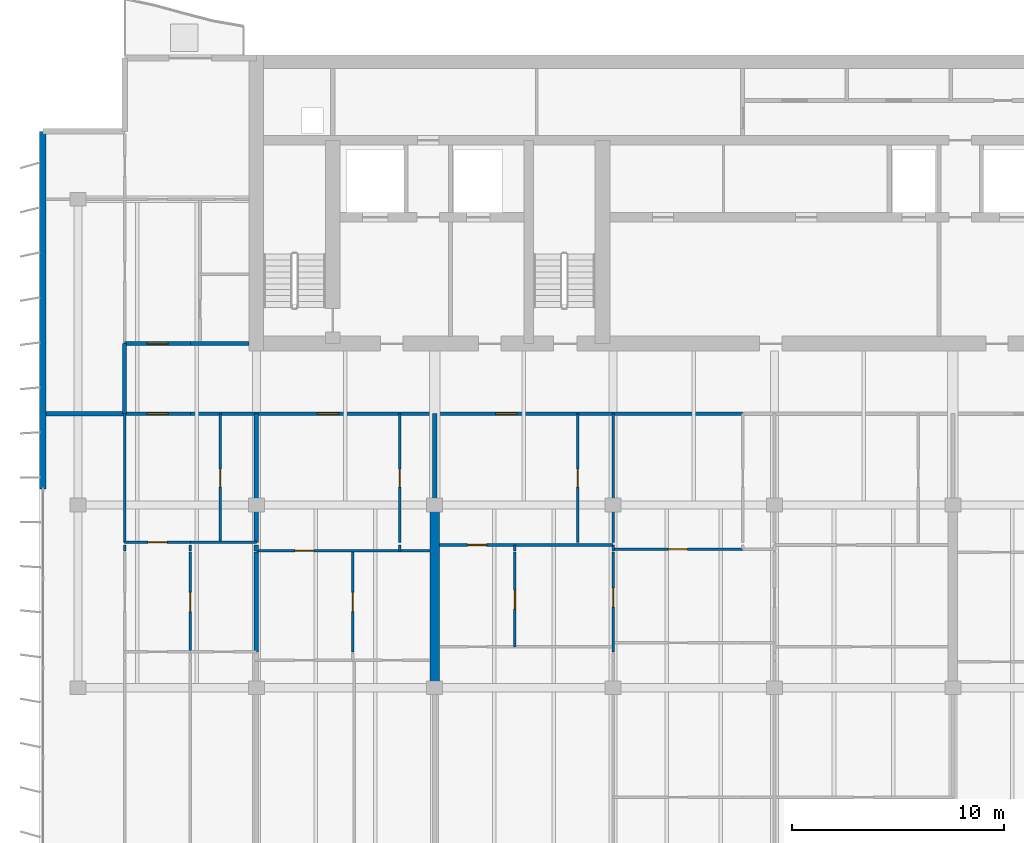
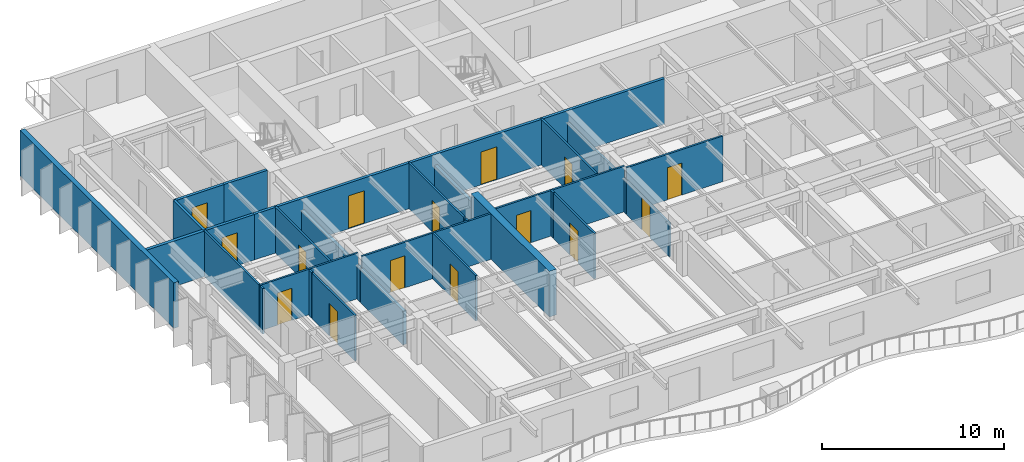
# One storey, part 7 of 17: 31 walls, 15 doors, 15 openings.
"""IFC4 building model written with IfcOpenShell, lengths in metres."""

from ifc_helpers import new_model, si_unit, direction, frame, frame_2d, origin, place, context, subcontext, project, spatial, rectangle, extrude, material, layer, layer_set, type_object, element, fill, save


model = new_model("IFC4")

# Units and contexts
model_context = context("Model", 3, precision=1e-05, world=origin(), true_north=direction((0.0, 1.0)))
body_context = subcontext(model_context, "Body", "Model", "MODEL_VIEW")
ifc_project = project(units=[si_unit("LENGTHUNIT", "METRE"), si_unit("AREAUNIT", "SQUARE_METRE"), si_unit("VOLUMEUNIT", "CUBIC_METRE"), si_unit("PLANEANGLEUNIT", "RADIAN"), si_unit("MASSUNIT", "GRAM", prefix="KILO")], contexts=[model_context])

# Site, building, storey
site_placement = place(None, origin())
site = spatial("IfcSite", under=ifc_project, at=site_placement, CompositionType="ELEMENT")
building_placement = place(site_placement, origin())
building = spatial("IfcBuilding", under=site, at=building_placement, Name="Caelmar Bay Residences", CompositionType="ELEMENT")
storey_placement = place(building_placement, frame((0.0, 0.0, 243.0)))
storey = spatial("IfcBuildingStorey", under=building, at=storey_placement, Name="L68", CompositionType="ELEMENT", Elevation=243.0)

# Walls
ifc_material_1 = material(Name="Concrete f'c 55 MPa (8,000 psi)", Category="concrete")
ifc_layer_1 = layer(ifc_material_1, 0.449951171875)
ifc_layer_set_1 = layer_set([ifc_layer_1], Name="Concrete f'c 55 MPa (8,000 psi)")
wall_type_1 = type_object("IfcWallType", Name="SW-XSLB-450", PredefinedType="SHEAR", material=ifc_layer_set_1)
wall_1_placement = place(storey_placement, frame((26.699951171875, 20.800048828125, 0.0), z_axis=(0.0, 0.0, 1.0), x_axis=(0.0, 1.0, 0.0)))
element("IfcWall", 1, at=wall_1_placement, inside=storey, type_object=wall_type_1, Name="L68 Transverse Cross-Slab Shear Wall W5", PredefinedType="SHEAR", context=body_context, shape_type="SweptSolid", body=[
    extrude(rectangle(XDim=8.599853515625, YDim=0.449951171875, at=frame_2d((4.2998046875, 0.0))), origin(), (0.0, 0.0, 1.0), 3.050048828125),
])
ifc_material_2 = material(Name="Double-stud acoustic fire-rated gypsum partition 180 mm")
ifc_layer_2 = layer(ifc_material_2, 0.179931640625)
ifc_layer_set_2 = layer_set([ifc_layer_2], Name="Double-stud acoustic fire-rated gypsum partition 180 mm")
wall_type_2 = type_object("IfcWallType", Name="W-COR-200", PredefinedType="PARTITIONING", material=ifc_layer_set_2)
wall_2_placement = place(storey_placement, frame((12.10009765625, 33.705078125, 0.0), z_axis=(0.0, 0.0, 1.0), x_axis=(0.0, 1.0, 0.0)))
element("IfcWall", 2, at=wall_2_placement, inside=storey, type_object=wall_type_2, Name="L68 Partition Wall V006", PredefinedType="PARTITIONING", context=body_context, shape_type="SweptSolid", body=[
    extrude(rectangle(XDim=3.294921875, YDim=0.179931640625, at=frame_2d((1.6474609375, 0.0))), origin(), (0.0, 0.0, 1.0), 3.050048828125),
])

# Wall, opening, door
wall_3_placement = place(storey_placement, frame((12.10498046875, 33.699951171875, 0.0), z_axis=(0.0, 0.0, 1.0), x_axis=(1.0, 0.0, 0.0)))
wall_3 = element("IfcWall", 3, at=wall_3_placement, inside=storey, type_object=wall_type_2, Name="L68 Partition Wall H110", PredefinedType="PARTITIONING", context=body_context, shape_type="SweptSolid", body=[
    extrude(rectangle(XDim=3.093017578125, YDim=0.179931640625, at=frame_2d((1.54638671875, 0.0))), origin(), (0.0, 0.0, 1.0), 3.050048828125),
])
opening_1_placement = place(wall_3_placement, frame((1.04638671875, 0.0, 0.0)))
opening_1 = element("IfcOpeningElement", 4, at=opening_1_placement, cuts=wall_3, Name="Opening D-L68-122", PredefinedType="OPENING", context=body_context, shape_type="SweptSolid", body=[
    extrude(rectangle(XDim=1.0, YDim=2.199951171875, at=frame_2d((0.5, 1.10009765625))), frame((0.0, 0.099853515625, 0.0), z_axis=(0.0, -1.0, 0.0), x_axis=(1.0, 0.0, 0.0)), (0.0, 0.0, 1.0), 0.199951171875),
])
ifc_material_3 = material(Name="Fire-rated steel and walnut architectural door assembly", Category="steel")
ifc_layer_3 = layer(ifc_material_3, 0.050048828125)
ifc_layer_set_3 = layer_set([ifc_layer_3], Name="Fire-rated steel and walnut architectural door assembly")
door_type_1 = type_object("IfcDoorType", Name="D-UNIT-1000", OperationType="NOTDEFINED", PredefinedType="DOOR", material=ifc_layer_set_3)
door_1_placement = place(opening_1_placement, origin())
door_1 = element("IfcDoor", 5, at=door_1_placement, inside=storey, type_object=door_type_1, Name="L68 Residence 01 Apartment Hall Door", OperationType="SINGLE_SWING_RIGHT", OverallHeight=2.199951171875, OverallWidth=1.0, PredefinedType="DOOR", context=body_context, shape_type="SweptSolid", body=[
    extrude(rectangle(XDim=1.0, YDim=2.199951171875, at=frame_2d((0.5, 1.10009765625))), frame((0.0, 0.02490234375, 0.0), z_axis=(0.0, -1.0, 0.0), x_axis=(1.0, 0.0, 0.0)), (0.0, 0.0, 1.0), 0.050048828125),
])
fill(opening_1, door_1)

# Wall, openings, doors
wall_4_placement = place(storey_placement, frame((15.202880859375, 33.699951171875, 0.0), z_axis=(0.0, 0.0, 1.0), x_axis=(1.0, 0.0, 0.0)))
wall_4 = element("IfcWall", 6, at=wall_4_placement, inside=storey, type_object=wall_type_2, Name="L68 Partition Wall H111", PredefinedType="PARTITIONING", context=body_context, shape_type="SweptSolid", body=[
    extrude(rectangle(XDim=25.9921875, YDim=0.179931640625, at=frame_2d((12.99609375, 0.0))), origin(), (0.0, 0.0, 1.0), 3.050048828125),
])
opening_2_placement = place(wall_4_placement, frame((5.971923828125, 0.0, 0.0)))
opening_2 = element("IfcOpeningElement", 7, at=opening_2_placement, cuts=wall_4, Name="Opening D-L68-128", PredefinedType="OPENING", context=body_context, shape_type="SweptSolid", body=[
    extrude(rectangle(XDim=1.0, YDim=2.199951171875, at=frame_2d((0.5, 1.10009765625))), frame((0.0, 0.099853515625, 0.0), z_axis=(0.0, -1.0, 0.0), x_axis=(1.0, 0.0, 0.0)), (0.0, 0.0, 1.0), 0.199951171875),
])
opening_3_placement = place(wall_4_placement, frame((14.363525390625, 0.0, 0.0)))
opening_3 = element("IfcOpeningElement", 8, at=opening_3_placement, cuts=wall_4, Name="Opening D-L68-134", PredefinedType="OPENING", context=body_context, shape_type="SweptSolid", body=[
    extrude(rectangle(XDim=1.0, YDim=2.199951171875, at=frame_2d((0.5, 1.10009765625))), frame((0.0, 0.099853515625, 0.0), z_axis=(0.0, -1.0, 0.0), x_axis=(1.0, 0.0, 0.0)), (0.0, 0.0, 1.0), 0.199951171875),
])
door_2_placement = place(opening_2_placement, origin())
door_2 = element("IfcDoor", 9, at=door_2_placement, inside=storey, type_object=door_type_1, Name="L68 Residence 02 Apartment Hall Door", OperationType="SINGLE_SWING_RIGHT", OverallHeight=2.199951171875, OverallWidth=1.0, PredefinedType="DOOR", context=body_context, shape_type="SweptSolid", body=[
    extrude(rectangle(XDim=1.0, YDim=2.199951171875, at=frame_2d((0.5, 1.10009765625))), frame((0.0, 0.02490234375, 0.0), z_axis=(0.0, -1.0, 0.0), x_axis=(1.0, 0.0, 0.0)), (0.0, 0.0, 1.0), 0.050048828125),
])
fill(opening_2, door_2)
door_3_placement = place(opening_3_placement, origin())
door_3 = element("IfcDoor", 10, at=door_3_placement, inside=storey, type_object=door_type_1, Name="L68 Residence 03 Apartment Hall Door", OperationType="SINGLE_SWING_RIGHT", OverallHeight=2.199951171875, OverallWidth=1.0, PredefinedType="DOOR", context=body_context, shape_type="SweptSolid", body=[
    extrude(rectangle(XDim=1.0, YDim=2.199951171875, at=frame_2d((0.5, 1.10009765625))), frame((0.0, 0.02490234375, 0.0), z_axis=(0.0, -1.0, 0.0), x_axis=(1.0, 0.0, 0.0)), (0.0, 0.0, 1.0), 0.050048828125),
])
fill(opening_3, door_3)

# Wall, opening, door
wall_5_placement = place(storey_placement, frame((12.10009765625, 37.0, 0.0), z_axis=(0.0, 0.0, 1.0), x_axis=(1.0, 0.0, 0.0)))
wall_5 = element("IfcWall", 11, at=wall_5_placement, inside=storey, type_object=wall_type_2, Name="L68 Partition Wall H114", PredefinedType="PARTITIONING", context=body_context, shape_type="SweptSolid", body=[
    extrude(rectangle(XDim=3.097900390625, YDim=0.179931640625, at=frame_2d((1.548828125, 0.0))), origin(), (0.0, 0.0, 1.0), 3.050048828125),
])
opening_4_placement = place(wall_5_placement, frame((1.049072265625, 0.0, 0.0)))
opening_4 = element("IfcOpeningElement", 12, at=opening_4_placement, cuts=wall_5, Name="Opening D-L68-162", PredefinedType="OPENING", context=body_context, shape_type="SweptSolid", body=[
    extrude(rectangle(XDim=1.0, YDim=2.199951171875, at=frame_2d((0.5, 1.10009765625))), frame((0.0, 0.099853515625, 0.0), z_axis=(0.0, -1.0, 0.0), x_axis=(1.0, 0.0, 0.0)), (0.0, 0.0, 1.0), 0.199951171875),
])
door_4_placement = place(opening_4_placement, origin())
door_4 = element("IfcDoor", 13, at=door_4_placement, inside=storey, type_object=door_type_1, Name="L68 Residence WA Kitchen Door", OperationType="SINGLE_SWING_RIGHT", OverallHeight=2.199951171875, OverallWidth=1.0, PredefinedType="DOOR", context=body_context, shape_type="SweptSolid", body=[
    extrude(rectangle(XDim=1.0, YDim=2.199951171875, at=frame_2d((0.5, 1.10009765625))), frame((0.0, 0.02490234375, 0.0), z_axis=(0.0, -1.0, 0.0), x_axis=(1.0, 0.0, 0.0)), (0.0, 0.0, 1.0), 0.050048828125),
])
fill(opening_4, door_4)

# Walls
wall_6_placement = place(storey_placement, frame((15.202880859375, 37.0, 0.0), z_axis=(0.0, 0.0, 1.0), x_axis=(1.0, 0.0, 0.0)))
element("IfcWall", 14, at=wall_6_placement, inside=storey, type_object=wall_type_2, Name="L68 Partition Wall H115", PredefinedType="PARTITIONING", context=body_context, shape_type="SweptSolid", body=[
    extrude(rectangle(XDim=2.7421875, YDim=0.179931640625, at=frame_2d((1.37109375, 0.0))), origin(), (0.0, 0.0, 1.0), 3.050048828125),
])
ifc_material_4 = material(Name="Precast concrete f'c 40 MPa (6,000 psi)", Category="concrete")
ifc_layer_4 = layer(ifc_material_4, 0.300048828125)
ifc_layer_set_4 = layer_set([ifc_layer_4], Name="Precast concrete f'c 40 MPa (6,000 psi)")
wall_type_3 = type_object("IfcWallType", Name="W-EXT-300", PredefinedType="STANDARD", material=ifc_layer_set_4)
wall_7_placement = place(storey_placement, frame((8.25, 30.14990234375, 0.0), z_axis=(0.0, 0.0, 1.0), x_axis=(0.0, 1.0, 0.0)))
element("IfcWall", 15, at=wall_7_placement, inside=storey, type_object=wall_type_3, Name="L68 West Rear Exterior Wall", PredefinedType="STANDARD", context=body_context, shape_type="SweptSolid", body=[
    extrude(rectangle(XDim=16.85009765625, YDim=0.300048828125, at=frame_2d((8.425048828125, 0.0))), origin(), (0.0, 0.0, 1.0), 3.050048828125),
])
ifc_material_5 = material(Name="Acoustic metal-stud gypsum partition 120 mm")
ifc_layer_5 = layer(ifc_material_5, 0.1201171875)
ifc_layer_set_5 = layer_set([ifc_layer_5], Name="Acoustic metal-stud gypsum partition 120 mm")
wall_type_4 = type_object("IfcWallType", Name="W-PRT-120", PredefinedType="PARTITIONING", material=ifc_layer_set_5)
wall_8_placement = place(storey_placement, frame((12.10009765625, 27.239990234375, 0.0), z_axis=(0.0, 0.0, 1.0), x_axis=(0.0, 1.0, 0.0)))
element("IfcWall", 16, at=wall_8_placement, inside=storey, type_object=wall_type_4, Name="L68 Partition Wall V004", PredefinedType="PARTITIONING", context=body_context, shape_type="SweptSolid", body=[
    extrude(rectangle(XDim=0.280029296875, YDim=0.1201171875, at=frame_2d((0.14013671875, 0.0))), origin(), (0.0, 0.0, 1.0), 3.050048828125),
])
wall_9_placement = place(storey_placement, frame((12.10009765625, 27.639892578125, 0.0), z_axis=(0.0, 0.0, 1.0), x_axis=(0.0, 1.0, 0.0)))
element("IfcWall", 17, at=wall_9_placement, inside=storey, type_object=wall_type_4, Name="L68 Partition Wall V005", PredefinedType="PARTITIONING", context=body_context, shape_type="SweptSolid", body=[
    extrude(rectangle(XDim=6.06005859375, YDim=0.1201171875, at=frame_2d((3.030029296875, 0.0))), origin(), (0.0, 0.0, 1.0), 3.050048828125),
])

# Wall, opening, door
wall_10_placement = place(storey_placement, frame((15.197998046875, 22.489990234375, 0.0), z_axis=(0.0, 0.0, 1.0), x_axis=(0.0, 1.0, 0.0)))
wall_10 = element("IfcWall", 18, at=wall_10_placement, inside=storey, type_object=wall_type_4, Name="L68 Partition Wall V008", PredefinedType="PARTITIONING", context=body_context, shape_type="SweptSolid", body=[
    extrude(rectangle(XDim=4.68994140625, YDim=0.1201171875, at=frame_2d((2.344970703125, 0.0))), origin(), (0.0, 0.0, 1.0), 3.050048828125),
])
opening_5_placement = place(wall_10_placement, frame((1.89501953125, 0.0, 0.0)))
opening_5 = element("IfcOpeningElement", 19, at=opening_5_placement, cuts=wall_10, Name="Opening D-L68-125", PredefinedType="OPENING", context=body_context, shape_type="SweptSolid", body=[
    extrude(rectangle(XDim=0.89990234375, YDim=2.14990234375, at=frame_2d((0.449951171875, 1.074951171875))), frame((0.0, 0.070068359375, 0.0), z_axis=(0.0, -1.0, 0.0), x_axis=(1.0, 0.0, 0.0)), (0.0, 0.0, 1.0), 0.14013671875),
])
ifc_material_6 = material(Name="Solid walnut timber interior door leaf and frame", Category="wood")
ifc_layer_6 = layer(ifc_material_6, 0.050048828125)
ifc_layer_set_6 = layer_set([ifc_layer_6], Name="Solid walnut timber interior door leaf and frame")
door_type_2 = type_object("IfcDoorType", Name="D-ROOM-900", OperationType="NOTDEFINED", PredefinedType="DOOR", material=ifc_layer_set_6)
door_5_placement = place(opening_5_placement, origin())
door_5 = element("IfcDoor", 20, at=door_5_placement, inside=storey, type_object=door_type_2, Name="L68 Residence 01 Formal Dining Room Door", OperationType="SINGLE_SWING_LEFT", OverallHeight=2.14990234375, OverallWidth=0.89990234375, PredefinedType="DOOR", context=body_context, shape_type="SweptSolid", body=[
    extrude(rectangle(XDim=0.89990234375, YDim=2.14990234375, at=frame_2d((0.449951171875, 1.074951171875))), frame((0.0, 0.02490234375, 0.0), z_axis=(0.0, -1.0, 0.0), x_axis=(1.0, 0.0, 0.0)), (0.0, 0.0, 1.0), 0.050048828125),
])
fill(opening_5, door_5)

# Wall
wall_11_placement = place(storey_placement, frame((15.197998046875, 27.239990234375, 0.0), z_axis=(0.0, 0.0, 1.0), x_axis=(0.0, 1.0, 0.0)))
element("IfcWall", 21, at=wall_11_placement, inside=storey, type_object=wall_type_4, Name="L68 Partition Wall V009", PredefinedType="PARTITIONING", context=body_context, shape_type="SweptSolid", body=[
    extrude(rectangle(XDim=0.280029296875, YDim=0.1201171875, at=frame_2d((0.14013671875, 0.0))), origin(), (0.0, 0.0, 1.0), 3.050048828125),
])

# Wall, opening, door
wall_12_placement = place(storey_placement, frame((16.60009765625, 27.639892578125, 0.0), z_axis=(0.0, 0.0, 1.0), x_axis=(0.0, 1.0, 0.0)))
wall_12 = element("IfcWall", 22, at=wall_12_placement, inside=storey, type_object=wall_type_4, Name="L68 Partition Wall V014", PredefinedType="PARTITIONING", context=body_context, shape_type="SweptSolid", body=[
    extrude(rectangle(XDim=6.06005859375, YDim=0.1201171875, at=frame_2d((3.030029296875, 0.0))), origin(), (0.0, 0.0, 1.0), 3.050048828125),
])
opening_6_placement = place(wall_12_placement, frame((2.60498046875, 0.0, 0.0)))
opening_6 = element("IfcOpeningElement", 23, at=opening_6_placement, cuts=wall_12, Name="Opening D-L68-123", PredefinedType="OPENING", context=body_context, shape_type="SweptSolid", body=[
    extrude(rectangle(XDim=0.85009765625, YDim=2.10009765625, at=frame_2d((0.425048828125, 1.050048828125))), frame((0.0, 0.070068359375, 0.0), z_axis=(0.0, -1.0, 0.0), x_axis=(1.0, 0.0, 0.0)), (0.0, 0.0, 1.0), 0.14013671875),
])
ifc_layer_7 = layer(ifc_material_6, 0.050048828125)
ifc_layer_set_7 = layer_set([ifc_layer_7], Name="Solid walnut timber interior door leaf and frame")
door_type_3 = type_object("IfcDoorType", Name="D-BATH-850", OperationType="NOTDEFINED", PredefinedType="DOOR", material=ifc_layer_set_7)
door_6_placement = place(opening_6_placement, origin())
door_6 = element("IfcDoor", 24, at=door_6_placement, inside=storey, type_object=door_type_3, Name="L68 Residence 01 Bathroom Door", OperationType="SINGLE_SWING_LEFT", OverallHeight=2.10009765625, OverallWidth=0.85009765625, PredefinedType="DOOR", context=body_context, shape_type="SweptSolid", body=[
    extrude(rectangle(XDim=0.85009765625, YDim=2.10009765625, at=frame_2d((0.425048828125, 1.050048828125))), frame((0.0, 0.02490234375, 0.0), z_axis=(0.0, -1.0, 0.0), x_axis=(1.0, 0.0, 0.0)), (0.0, 0.0, 1.0), 0.050048828125),
])
fill(opening_6, door_6)

wall_13_placement = place(storey_placement, frame((22.8359375, 22.489990234375, 0.0), z_axis=(0.0, 0.0, 1.0), x_axis=(0.0, 1.0, 0.0)))
wall_13 = element("IfcWall", 25, at=wall_13_placement, inside=storey, type_object=wall_type_4, Name="L68 Partition Wall V023", PredefinedType="PARTITIONING", context=body_context, shape_type="SweptSolid", body=[
    extrude(rectangle(XDim=4.68994140625, YDim=0.1201171875, at=frame_2d((2.344970703125, 0.0))), origin(), (0.0, 0.0, 1.0), 3.050048828125),
])
opening_7_placement = place(wall_13_placement, frame((1.89501953125, 0.0, 0.0)))
opening_7 = element("IfcOpeningElement", 26, at=opening_7_placement, cuts=wall_13, Name="Opening D-L68-131", PredefinedType="OPENING", context=body_context, shape_type="SweptSolid", body=[
    extrude(rectangle(XDim=0.89990234375, YDim=2.14990234375, at=frame_2d((0.449951171875, 1.074951171875))), frame((0.0, 0.070068359375, 0.0), z_axis=(0.0, -1.0, 0.0), x_axis=(1.0, 0.0, 0.0)), (0.0, 0.0, 1.0), 0.14013671875),
])
door_7_placement = place(opening_7_placement, origin())
door_7 = element("IfcDoor", 27, at=door_7_placement, inside=storey, type_object=door_type_2, Name="L68 Residence 02 Formal Dining Room Door", OperationType="SINGLE_SWING_LEFT", OverallHeight=2.14990234375, OverallWidth=0.89990234375, PredefinedType="DOOR", context=body_context, shape_type="SweptSolid", body=[
    extrude(rectangle(XDim=0.89990234375, YDim=2.14990234375, at=frame_2d((0.449951171875, 1.074951171875))), frame((0.0, 0.02490234375, 0.0), z_axis=(0.0, -1.0, 0.0), x_axis=(1.0, 0.0, 0.0)), (0.0, 0.0, 1.0), 0.050048828125),
])
fill(opening_7, door_7)

# Wall
wall_14_placement = place(storey_placement, frame((25.050048828125, 27.239990234375, 0.0), z_axis=(0.0, 0.0, 1.0), x_axis=(0.0, 1.0, 0.0)))
element("IfcWall", 28, at=wall_14_placement, inside=storey, type_object=wall_type_4, Name="L68 Partition Wall V026", PredefinedType="PARTITIONING", context=body_context, shape_type="SweptSolid", body=[
    extrude(rectangle(XDim=0.280029296875, YDim=0.1201171875, at=frame_2d((0.14013671875, 0.0))), origin(), (0.0, 0.0, 1.0), 3.050048828125),
])

# Wall, opening, door
wall_15_placement = place(storey_placement, frame((25.050048828125, 27.639892578125, 0.0), z_axis=(0.0, 0.0, 1.0), x_axis=(0.0, 1.0, 0.0)))
wall_15 = element("IfcWall", 29, at=wall_15_placement, inside=storey, type_object=wall_type_4, Name="L68 Partition Wall V027", PredefinedType="PARTITIONING", context=body_context, shape_type="SweptSolid", body=[
    extrude(rectangle(XDim=6.06005859375, YDim=0.1201171875, at=frame_2d((3.030029296875, 0.0))), origin(), (0.0, 0.0, 1.0), 3.050048828125),
])
opening_8_placement = place(wall_15_placement, frame((2.60498046875, 0.0, 0.0)))
opening_8 = element("IfcOpeningElement", 30, at=opening_8_placement, cuts=wall_15, Name="Opening D-L68-129", PredefinedType="OPENING", context=body_context, shape_type="SweptSolid", body=[
    extrude(rectangle(XDim=0.85009765625, YDim=2.10009765625, at=frame_2d((0.425048828125, 1.050048828125))), frame((0.0, 0.070068359375, 0.0), z_axis=(0.0, -1.0, 0.0), x_axis=(1.0, 0.0, 0.0)), (0.0, 0.0, 1.0), 0.14013671875),
])
door_8_placement = place(opening_8_placement, origin())
door_8 = element("IfcDoor", 31, at=door_8_placement, inside=storey, type_object=door_type_3, Name="L68 Residence 02 Bathroom Door", OperationType="SINGLE_SWING_LEFT", OverallHeight=2.10009765625, OverallWidth=0.85009765625, PredefinedType="DOOR", context=body_context, shape_type="SweptSolid", body=[
    extrude(rectangle(XDim=0.85009765625, YDim=2.10009765625, at=frame_2d((0.425048828125, 1.050048828125))), frame((0.0, 0.02490234375, 0.0), z_axis=(0.0, -1.0, 0.0), x_axis=(1.0, 0.0, 0.0)), (0.0, 0.0, 1.0), 0.050048828125),
])
fill(opening_8, door_8)

wall_16_placement = place(storey_placement, frame((30.47998046875, 22.719970703125, 0.0), z_axis=(0.0, 0.0, 1.0), x_axis=(0.0, 1.0, 0.0)))
wall_16 = element("IfcWall", 32, at=wall_16_placement, inside=storey, type_object=wall_type_4, Name="L68 Partition Wall V034", PredefinedType="PARTITIONING", context=body_context, shape_type="SweptSolid", body=[
    extrude(rectangle(XDim=4.4599609375, YDim=0.1201171875, at=frame_2d((2.22998046875, 0.0))), origin(), (0.0, 0.0, 1.0), 3.050048828125),
])
opening_9_placement = place(wall_16_placement, frame((1.780029296875, 0.0, 0.0)))
opening_9 = element("IfcOpeningElement", 33, at=opening_9_placement, cuts=wall_16, Name="Opening D-L68-137", PredefinedType="OPENING", context=body_context, shape_type="SweptSolid", body=[
    extrude(rectangle(XDim=0.89990234375, YDim=2.14990234375, at=frame_2d((0.449951171875, 1.074951171875))), frame((0.0, 0.070068359375, 0.0), z_axis=(0.0, -1.0, 0.0), x_axis=(1.0, 0.0, 0.0)), (0.0, 0.0, 1.0), 0.14013671875),
])
door_9_placement = place(opening_9_placement, origin())
door_9 = element("IfcDoor", 34, at=door_9_placement, inside=storey, type_object=door_type_2, Name="L68 Residence 03 Kitchen Door", OperationType="SINGLE_SWING_LEFT", OverallHeight=2.14990234375, OverallWidth=0.89990234375, PredefinedType="DOOR", context=body_context, shape_type="SweptSolid", body=[
    extrude(rectangle(XDim=0.89990234375, YDim=2.14990234375, at=frame_2d((0.449951171875, 1.074951171875))), frame((0.0, 0.02490234375, 0.0), z_axis=(0.0, -1.0, 0.0), x_axis=(1.0, 0.0, 0.0)), (0.0, 0.0, 1.0), 0.050048828125),
])
fill(opening_9, door_9)

# Wall
wall_17_placement = place(storey_placement, frame((30.47998046875, 27.239990234375, 0.0), z_axis=(0.0, 0.0, 1.0), x_axis=(0.0, 1.0, 0.0)))
element("IfcWall", 35, at=wall_17_placement, inside=storey, type_object=wall_type_4, Name="L68 Partition Wall V035", PredefinedType="PARTITIONING", context=body_context, shape_type="SweptSolid", body=[
    extrude(rectangle(XDim=0.280029296875, YDim=0.1201171875, at=frame_2d((0.14013671875, 0.0))), origin(), (0.0, 0.0, 1.0), 3.050048828125),
])

# Wall, opening, door
wall_18_placement = place(storey_placement, frame((33.43310546875, 27.639892578125, 0.0), z_axis=(0.0, 0.0, 1.0), x_axis=(0.0, 1.0, 0.0)))
wall_18 = element("IfcWall", 36, at=wall_18_placement, inside=storey, type_object=wall_type_4, Name="L68 Partition Wall V037", PredefinedType="PARTITIONING", context=body_context, shape_type="SweptSolid", body=[
    extrude(rectangle(XDim=6.06005859375, YDim=0.1201171875, at=frame_2d((3.030029296875, 0.0))), origin(), (0.0, 0.0, 1.0), 3.050048828125),
])
opening_10_placement = place(wall_18_placement, frame((2.60498046875, 0.0, 0.0)))
opening_10 = element("IfcOpeningElement", 37, at=opening_10_placement, cuts=wall_18, Name="Opening D-L68-135", PredefinedType="OPENING", context=body_context, shape_type="SweptSolid", body=[
    extrude(rectangle(XDim=0.85009765625, YDim=2.10009765625, at=frame_2d((0.425048828125, 1.050048828125))), frame((0.0, 0.070068359375, 0.0), z_axis=(0.0, -1.0, 0.0), x_axis=(1.0, 0.0, 0.0)), (0.0, 0.0, 1.0), 0.14013671875),
])
door_10_placement = place(opening_10_placement, origin())
door_10 = element("IfcDoor", 38, at=door_10_placement, inside=storey, type_object=door_type_3, Name="L68 Residence 03 Guest Bathroom Door", OperationType="SINGLE_SWING_LEFT", OverallHeight=2.10009765625, OverallWidth=0.85009765625, PredefinedType="DOOR", context=body_context, shape_type="SweptSolid", body=[
    extrude(rectangle(XDim=0.85009765625, YDim=2.10009765625, at=frame_2d((0.425048828125, 1.050048828125))), frame((0.0, 0.02490234375, 0.0), z_axis=(0.0, -1.0, 0.0), x_axis=(1.0, 0.0, 0.0)), (0.0, 0.0, 1.0), 0.050048828125),
])
fill(opening_10, door_10)

wall_19_placement = place(storey_placement, frame((35.10009765625, 22.489990234375, 0.0), z_axis=(0.0, 0.0, 1.0), x_axis=(0.0, 1.0, 0.0)))
wall_19 = element("IfcWall", 39, at=wall_19_placement, inside=storey, type_object=wall_type_4, Name="L68 Partition Wall V041", PredefinedType="PARTITIONING", context=body_context, shape_type="SweptSolid", body=[
    extrude(rectangle(XDim=4.68994140625, YDim=0.1201171875, at=frame_2d((2.344970703125, 0.0))), origin(), (0.0, 0.0, 1.0), 2.262939453125),
])
opening_11_placement = place(wall_19_placement, frame((2.110107421875, 0.0, 0.0)))
opening_11 = element("IfcOpeningElement", 40, at=opening_11_placement, cuts=wall_19, Name="Opening D-L68-139", PredefinedType="OPENING", context=body_context, shape_type="SweptSolid", body=[
    extrude(rectangle(XDim=0.89990234375, YDim=2.14990234375, at=frame_2d((0.449951171875, 1.074951171875))), frame((0.0, 0.070068359375, 0.0), z_axis=(0.0, -1.0, 0.0), x_axis=(1.0, 0.0, 0.0)), (0.0, 0.0, 1.0), 0.14013671875),
])
door_11_placement = place(opening_11_placement, origin())
door_11 = element("IfcDoor", 41, at=door_11_placement, inside=storey, type_object=door_type_2, Name="L68 Residence 03 Formal Dining Room 1 Door", OperationType="SINGLE_SWING_LEFT", OverallHeight=2.14990234375, OverallWidth=0.89990234375, PredefinedType="DOOR", context=body_context, shape_type="SweptSolid", body=[
    extrude(rectangle(XDim=0.89990234375, YDim=2.14990234375, at=frame_2d((0.449951171875, 1.074951171875))), frame((0.0, 0.02490234375, 0.0), z_axis=(0.0, -1.0, 0.0), x_axis=(1.0, 0.0, 0.0)), (0.0, 0.0, 1.0), 0.050048828125),
])
fill(opening_11, door_11)

# Walls
wall_20_placement = place(storey_placement, frame((35.10009765625, 27.239990234375, 0.0), z_axis=(0.0, 0.0, 1.0), x_axis=(0.0, 1.0, 0.0)))
element("IfcWall", 42, at=wall_20_placement, inside=storey, type_object=wall_type_4, Name="L68 Partition Wall V042", PredefinedType="PARTITIONING", context=body_context, shape_type="SweptSolid", body=[
    extrude(rectangle(XDim=0.280029296875, YDim=0.1201171875, at=frame_2d((0.14013671875, 0.0))), origin(), (0.0, 0.0, 1.0), 2.262939453125),
])
wall_21_placement = place(storey_placement, frame((35.10009765625, 27.639892578125, 0.0), z_axis=(0.0, 0.0, 1.0), x_axis=(0.0, 1.0, 0.0)))
element("IfcWall", 43, at=wall_21_placement, inside=storey, type_object=wall_type_4, Name="L68 Partition Wall V043", PredefinedType="PARTITIONING", context=body_context, shape_type="SweptSolid", body=[
    extrude(rectangle(XDim=6.06005859375, YDim=0.1201171875, at=frame_2d((3.030029296875, 0.0))), origin(), (0.0, 0.0, 1.0), 2.262939453125),
])

# Wall, opening, door
wall_22_placement = place(storey_placement, frame((18.300048828125, 27.239990234375, 0.0), z_axis=(0.0, 0.0, 1.0), x_axis=(1.0, 0.0, 0.0)))
wall_22 = element("IfcWall", 44, at=wall_22_placement, inside=storey, type_object=wall_type_4, Name="L68 Partition Wall H101", PredefinedType="PARTITIONING", context=body_context, shape_type="SweptSolid", body=[
    extrude(rectangle(XDim=8.179931640625, YDim=0.1201171875, at=frame_2d((4.08984375, 0.0))), origin(), (0.0, 0.0, 1.0), 3.050048828125),
])
opening_12_placement = place(wall_22_placement, frame((1.818115234375, 0.0, 0.0)))
opening_12 = element("IfcOpeningElement", 45, at=opening_12_placement, cuts=wall_22, Name="Opening D-L68-130", PredefinedType="OPENING", context=body_context, shape_type="SweptSolid", body=[
    extrude(rectangle(XDim=0.89990234375, YDim=2.14990234375, at=frame_2d((0.449951171875, 1.074951171875))), frame((0.0, 0.070068359375, 0.0), z_axis=(0.0, -1.0, 0.0), x_axis=(1.0, 0.0, 0.0)), (0.0, 0.0, 1.0), 0.14013671875),
])
door_12_placement = place(opening_12_placement, origin())
door_12 = element("IfcDoor", 46, at=door_12_placement, inside=storey, type_object=door_type_2, Name="L68 Residence 02 Kitchen Door", OperationType="SINGLE_SWING_RIGHT", OverallHeight=2.14990234375, OverallWidth=0.89990234375, PredefinedType="DOOR", context=body_context, shape_type="SweptSolid", body=[
    extrude(rectangle(XDim=0.89990234375, YDim=2.14990234375, at=frame_2d((0.449951171875, 1.074951171875))), frame((0.0, 0.02490234375, 0.0), z_axis=(0.0, -1.0, 0.0), x_axis=(1.0, 0.0, 0.0)), (0.0, 0.0, 1.0), 0.050048828125),
])
fill(opening_12, door_12)

wall_23_placement = place(storey_placement, frame((35.10009765625, 27.320068359375, 0.0), z_axis=(0.0, 0.0, 1.0), x_axis=(1.0, 0.0, 0.0)))
wall_23 = element("IfcWall", 47, at=wall_23_placement, inside=storey, type_object=wall_type_4, Name="L68 Partition Wall H102", PredefinedType="PARTITIONING", context=body_context, shape_type="SweptSolid", body=[
    extrude(rectangle(XDim=6.094970703125, YDim=0.1201171875, at=frame_2d((3.04736328125, 0.0))), origin(), (0.0, 0.0, 1.0), 3.050048828125),
])
opening_13_placement = place(wall_23_placement, frame((2.597412109375, 0.0, 0.0)))
opening_13 = element("IfcOpeningElement", 48, at=opening_13_placement, cuts=wall_23, Name="Opening D-L68-140", PredefinedType="OPENING", context=body_context, shape_type="SweptSolid", body=[
    extrude(rectangle(XDim=0.89990234375, YDim=2.14990234375, at=frame_2d((0.449951171875, 1.074951171875))), frame((0.0, 0.070068359375, 0.0), z_axis=(0.0, -1.0, 0.0), x_axis=(1.0, 0.0, 0.0)), (0.0, 0.0, 1.0), 0.14013671875),
])
door_13_placement = place(opening_13_placement, origin())
door_13 = element("IfcDoor", 49, at=door_13_placement, inside=storey, type_object=door_type_2, Name="L68 Residence 03 Breakfast Dining Room 1 Door", OperationType="SINGLE_SWING_RIGHT", OverallHeight=2.14990234375, OverallWidth=0.89990234375, PredefinedType="DOOR", context=body_context, shape_type="SweptSolid", body=[
    extrude(rectangle(XDim=0.89990234375, YDim=2.14990234375, at=frame_2d((0.449951171875, 1.074951171875))), frame((0.0, 0.02490234375, 0.0), z_axis=(0.0, -1.0, 0.0), x_axis=(1.0, 0.0, 0.0)), (0.0, 0.0, 1.0), 0.050048828125),
])
fill(opening_13, door_13)

wall_24_placement = place(storey_placement, frame((26.919921875, 27.52001953125, 0.0), z_axis=(0.0, 0.0, 1.0), x_axis=(1.0, 0.0, 0.0)))
wall_24 = element("IfcWall", 50, at=wall_24_placement, inside=storey, type_object=wall_type_4, Name="L68 Partition Wall H104", PredefinedType="PARTITIONING", context=body_context, shape_type="SweptSolid", body=[
    extrude(rectangle(XDim=8.175048828125, YDim=0.1201171875, at=frame_2d((4.08740234375, 0.0))), origin(), (0.0, 0.0, 1.0), 3.050048828125),
])
opening_14_placement = place(wall_24_placement, frame((1.330078125, 0.0, 0.0)))
opening_14 = element("IfcOpeningElement", 51, at=opening_14_placement, cuts=wall_24, Name="Opening D-L68-136", PredefinedType="OPENING", context=body_context, shape_type="SweptSolid", body=[
    extrude(rectangle(XDim=0.89990234375, YDim=2.14990234375, at=frame_2d((0.449951171875, 1.074951171875))), frame((0.0, 0.070068359375, 0.0), z_axis=(0.0, -1.0, 0.0), x_axis=(1.0, 0.0, 0.0)), (0.0, 0.0, 1.0), 0.14013671875),
])
door_14_placement = place(opening_14_placement, origin())
door_14 = element("IfcDoor", 52, at=door_14_placement, inside=storey, type_object=door_type_2, Name="L68 Residence 03 Dining Room Door", OperationType="SINGLE_SWING_RIGHT", OverallHeight=2.14990234375, OverallWidth=0.89990234375, PredefinedType="DOOR", context=body_context, shape_type="SweptSolid", body=[
    extrude(rectangle(XDim=0.89990234375, YDim=2.14990234375, at=frame_2d((0.449951171875, 1.074951171875))), frame((0.0, 0.02490234375, 0.0), z_axis=(0.0, -1.0, 0.0), x_axis=(1.0, 0.0, 0.0)), (0.0, 0.0, 1.0), 0.050048828125),
])
fill(opening_14, door_14)

wall_25_placement = place(storey_placement, frame((12.10009765625, 27.639892578125, 0.0), z_axis=(0.0, 0.0, 1.0), x_axis=(1.0, 0.0, 0.0)))
wall_25 = element("IfcWall", 53, at=wall_25_placement, inside=storey, type_object=wall_type_4, Name="L68 Partition Wall H107", PredefinedType="PARTITIONING", context=body_context, shape_type="SweptSolid", body=[
    extrude(rectangle(XDim=3.097900390625, YDim=0.1201171875, at=frame_2d((1.548828125, 0.0))), origin(), (0.0, 0.0, 1.0), 3.050048828125),
])
opening_15_placement = place(wall_25_placement, frame((1.09912109375, 0.0, 0.0)))
opening_15 = element("IfcOpeningElement", 54, at=opening_15_placement, cuts=wall_25, Name="Opening D-L68-124", PredefinedType="OPENING", context=body_context, shape_type="SweptSolid", body=[
    extrude(rectangle(XDim=0.89990234375, YDim=2.14990234375, at=frame_2d((0.449951171875, 1.074951171875))), frame((0.0, 0.070068359375, 0.0), z_axis=(0.0, -1.0, 0.0), x_axis=(1.0, 0.0, 0.0)), (0.0, 0.0, 1.0), 0.14013671875),
])
door_15_placement = place(opening_15_placement, origin())
door_15 = element("IfcDoor", 55, at=door_15_placement, inside=storey, type_object=door_type_2, Name="L68 Residence 01 Kitchen Door", OperationType="SINGLE_SWING_RIGHT", OverallHeight=2.14990234375, OverallWidth=0.89990234375, PredefinedType="DOOR", context=body_context, shape_type="SweptSolid", body=[
    extrude(rectangle(XDim=0.89990234375, YDim=2.14990234375, at=frame_2d((0.449951171875, 1.074951171875))), frame((0.0, 0.02490234375, 0.0), z_axis=(0.0, -1.0, 0.0), x_axis=(1.0, 0.0, 0.0)), (0.0, 0.0, 1.0), 0.050048828125),
])
fill(opening_15, door_15)

# Walls
wall_26_placement = place(storey_placement, frame((15.202880859375, 27.639892578125, 0.0), z_axis=(0.0, 0.0, 1.0), x_axis=(1.0, 0.0, 0.0)))
element("IfcWall", 56, at=wall_26_placement, inside=storey, type_object=wall_type_4, Name="L68 Partition Wall H108", PredefinedType="PARTITIONING", context=body_context, shape_type="SweptSolid", body=[
    extrude(rectangle(XDim=3.09716796875, YDim=0.1201171875, at=frame_2d((1.548583984375, 0.0))), origin(), (0.0, 0.0, 1.0), 3.050048828125),
])
ifc_material_7 = material(Name="Acoustic twin-stud fire-rated inter-tenancy partition 200 mm")
ifc_layer_8 = layer(ifc_material_7, 0.199951171875)
ifc_layer_set_8 = layer_set([ifc_layer_8], Name="Acoustic twin-stud fire-rated inter-tenancy partition 200 mm")
wall_type_5 = type_object("IfcWallType", Name="W-PTY-200", PredefinedType="PARTITIONING", material=ifc_layer_set_8)
wall_27_placement = place(storey_placement, frame((18.300048828125, 22.489990234375, 0.0), z_axis=(0.0, 0.0, 1.0), x_axis=(0.0, 1.0, 0.0)))
element("IfcWall", 57, at=wall_27_placement, inside=storey, type_object=wall_type_5, Name="L68 Partition Wall V018", PredefinedType="PARTITIONING", context=body_context, shape_type="SweptSolid", body=[
    extrude(rectangle(XDim=4.68994140625, YDim=0.199951171875, at=frame_2d((2.344970703125, 0.0))), origin(), (0.0, 0.0, 1.0), 2.262939453125),
])
wall_28_placement = place(storey_placement, frame((18.300048828125, 27.239990234375, 0.0), z_axis=(0.0, 0.0, 1.0), x_axis=(0.0, 1.0, 0.0)))
element("IfcWall", 58, at=wall_28_placement, inside=storey, type_object=wall_type_5, Name="L68 Partition Wall V019", PredefinedType="PARTITIONING", context=body_context, shape_type="SweptSolid", body=[
    extrude(rectangle(XDim=0.280029296875, YDim=0.199951171875, at=frame_2d((0.14013671875, 0.0))), origin(), (0.0, 0.0, 1.0), 2.262939453125),
])
wall_29_placement = place(storey_placement, frame((18.300048828125, 27.639892578125, 0.0), z_axis=(0.0, 0.0, 1.0), x_axis=(0.0, 1.0, 0.0)))
element("IfcWall", 59, at=wall_29_placement, inside=storey, type_object=wall_type_5, Name="L68 Partition Wall V020", PredefinedType="PARTITIONING", context=body_context, shape_type="SweptSolid", body=[
    extrude(rectangle(XDim=6.06005859375, YDim=0.199951171875, at=frame_2d((3.030029296875, 0.0))), origin(), (0.0, 0.0, 1.0), 2.262939453125),
])
wall_30_placement = place(storey_placement, frame((26.699951171875, 29.405029296875, 0.0), z_axis=(0.0, 0.0, 1.0), x_axis=(0.0, 1.0, 0.0)))
element("IfcWall", 60, at=wall_30_placement, inside=storey, type_object=wall_type_5, Name="L68 Partition Wall V031", PredefinedType="PARTITIONING", context=body_context, shape_type="SweptSolid", body=[
    extrude(rectangle(XDim=4.294921875, YDim=0.199951171875, at=frame_2d((2.1474609375, 0.0))), origin(), (0.0, 0.0, 1.0), 2.3349609375),
])
wall_31_placement = place(storey_placement, frame((8.39501953125, 33.699951171875, 0.0), z_axis=(0.0, 0.0, 1.0), x_axis=(1.0, 0.0, 0.0)))
element("IfcWall", 61, at=wall_31_placement, inside=storey, type_object=wall_type_5, Name="L68 Partition Wall H109", PredefinedType="PARTITIONING", context=body_context, shape_type="SweptSolid", body=[
    extrude(rectangle(XDim=3.705078125, YDim=0.199951171875, at=frame_2d((1.8525390625, 0.0))), origin(), (0.0, 0.0, 1.0), 3.050048828125),
])

save(model, "model.ifc")
